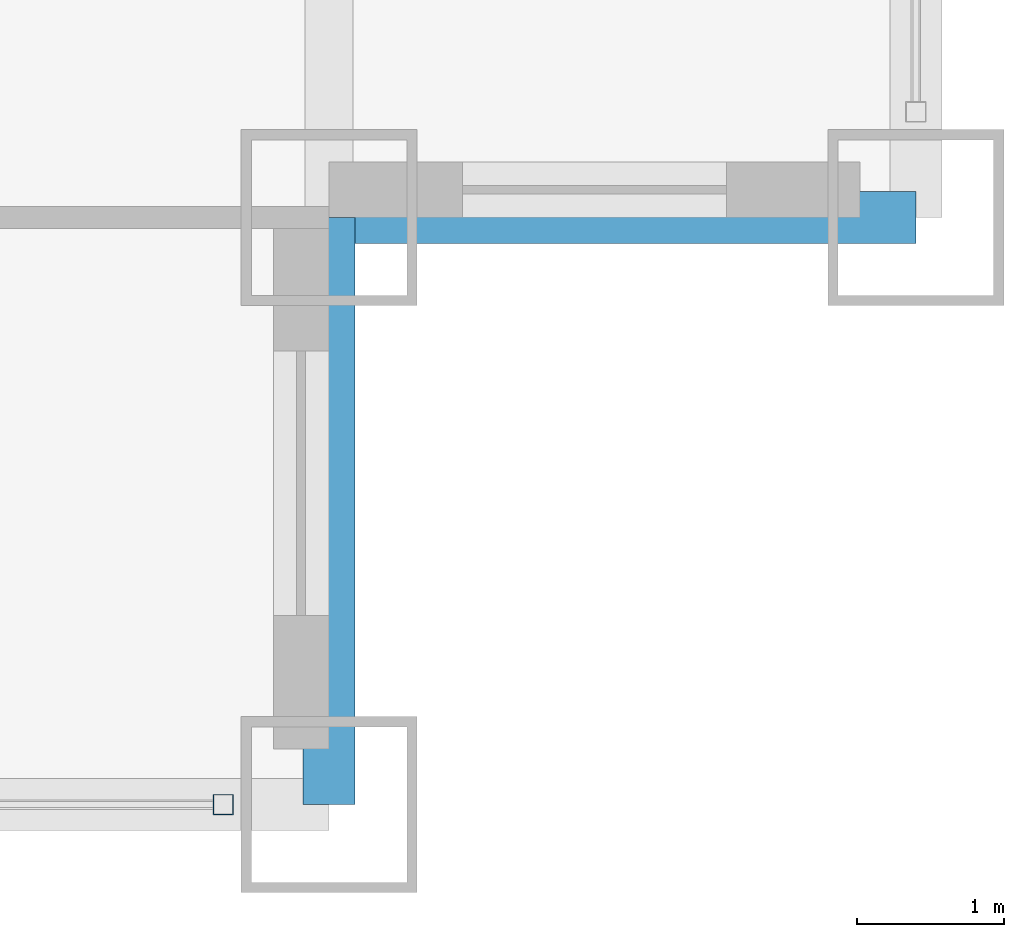
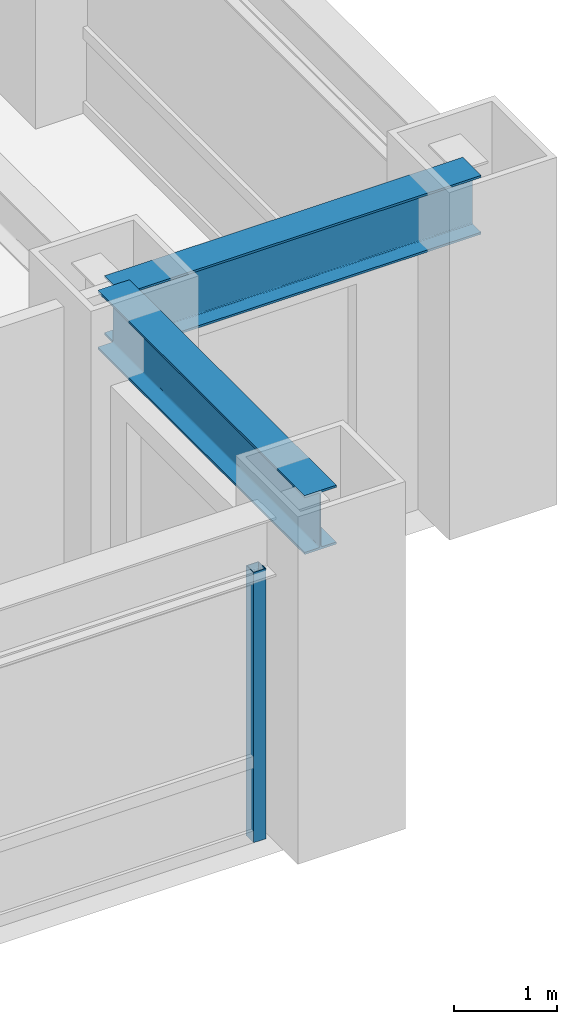
# One storey, part 6 of 28: 2 beams, 1 member, 1 element without a shape of its own.
"""IFC4 building model written with IfcOpenShell, lengths in metres."""

import ifcopenshell
import ifcopenshell.guid

model = None  # the IFC model being written
_history = None  # IfcOwnerHistory: only IFC2X3 demands one
_inside = {}  # id of a spatial element -> (the spatial element, [elements in it])
_under = {}  # id of a project, library or spatial element -> (it, [spatial elements below it])
_declared = {}  # id of a project -> (the project, [libraries it declares])
_typed = {}  # id of a type object -> (the type object, [elements of that type])
_made_of = {}  # id of a material, layer set ... -> (it, [elements and type objects made of it])


def new_model(schema):
    """Start an empty IFC model of exactly this schema.

    Asked for "IFC4X3", IfcOpenShell would pick the latest addendum, in which some entities
    have other attributes; the version numbers below select the first issue.
    IFC2X3 requires an IfcOwnerHistory on every rooted entity: one is made here for all.
    """
    global model, _history
    if schema == "IFC4X3":
        model = ifcopenshell.file(schema_version=(4, 3, 0, 0))
    else:
        model = ifcopenshell.file(schema=schema)
    _inside.clear()
    _under.clear()
    _declared.clear()
    _typed.clear()
    _made_of.clear()
    _history = None
    if model.schema == "IFC2X3":
        org = make("IfcOrganization", Name="unknown")
        user = make(
            "IfcPersonAndOrganization",
            ThePerson=make("IfcPerson", FamilyName="unknown"),
            TheOrganization=org,
        )
        app = make(
            "IfcApplication",
            ApplicationDeveloper=org,
            Version="unknown",
            ApplicationFullName="unknown",
            ApplicationIdentifier="unknown",
        )
        _history = make(
            "IfcOwnerHistory",
            OwningUser=user,
            OwningApplication=app,
            ChangeAction="ADDED",
            CreationDate=0,
        )
    return model


def make(cls, **values):
    """One entity of the class cls with the attributes given. An attribute that is None is left unset."""
    return model.create_entity(
        cls, **{name: value for name, value in values.items() if value is not None}
    )


def rooted(cls, **values):
    """An entity with a GlobalId (a new one), such as an element, a storey or a relation."""
    return make(cls, GlobalId=ifcopenshell.guid.new(), OwnerHistory=_history, **values)


def si_unit(unit_type, name, prefix=None):
    """IfcSIUnit, for example si_unit("LENGTHUNIT", "METRE", prefix="MILLI")."""
    return make("IfcSIUnit", UnitType=unit_type, Prefix=prefix, Name=name)


def assignment(units):
    """IfcUnitAssignment: the units of a project."""
    return None if units is None else make("IfcUnitAssignment", Units=units)


def point(xyz):
    """IfcCartesianPoint."""
    return None if xyz is None else make("IfcCartesianPoint", Coordinates=xyz)


def direction(xyz):
    """IfcDirection."""
    return None if xyz is None else make("IfcDirection", DirectionRatios=xyz)


def frame(location, z_axis=None, x_axis=None):
    """IfcAxis2Placement3D, a coordinate frame: its origin and axes. An axis left out is left unset."""
    return make(
        "IfcAxis2Placement3D",
        Location=point(location),
        Axis=direction(z_axis),
        RefDirection=direction(x_axis),
    )


def frame_2d(location, x_axis=None):
    """IfcAxis2Placement2D, a coordinate frame in the plane: its origin and x axis."""
    return make(
        "IfcAxis2Placement2D", Location=point(location), RefDirection=direction(x_axis)
    )


def origin():
    """The frame at (0, 0, 0) with its axes left unset."""
    return frame((0.0, 0.0, 0.0))


def origin_2d():
    """The frame at (0, 0) in the plane with its x axis left unset."""
    return frame_2d((0.0, 0.0))


def place(relative_to, where):
    """IfcLocalPlacement: puts the frame where relative to a parent placement (None: the world)."""
    return make(
        "IfcLocalPlacement", PlacementRelTo=relative_to, RelativePlacement=where
    )


def context(
    kind, dimensions, precision=None, world=None, true_north=None, identifier=None
):
    """IfcGeometricRepresentationContext, for example the 3D "Model" context."""
    return make(
        "IfcGeometricRepresentationContext",
        ContextIdentifier=identifier,
        ContextType=kind,
        CoordinateSpaceDimension=dimensions,
        Precision=precision,
        WorldCoordinateSystem=world,
        TrueNorth=true_north,
    )


def subcontext(parent, identifier, kind, view, scale=None):
    """IfcGeometricRepresentationSubContext, for example "Body" below "Model"."""
    return make(
        "IfcGeometricRepresentationSubContext",
        ContextIdentifier=identifier,
        ContextType=kind,
        ParentContext=parent,
        TargetScale=scale,
        TargetView=view,
    )


def project(units=None, contexts=None):
    """IfcProject with its units and contexts."""
    return rooted(
        "IfcProject",
        Name="project",
        RepresentationContexts=contexts,
        UnitsInContext=assignment(units),
    )


def spatial(cls, under=None, at=None, **own):
    """A site, building, storey or space (cls), placed at a placement, below another one or the project."""
    s = rooted(cls, ObjectPlacement=at, **own)
    if under is not None:
        _under.setdefault(under.id(), (under, []))[1].append(s)
    return s


def profile(cls, at=None, kind="AREA", **sizes):
    """A parametric profile (cls). Its sizes go by their IFC names, for example OverallWidth=200.0."""
    return make(cls, ProfileType=kind, Position=at, **sizes)


def hollow_rectangle(**sizes):
    """IfcRectangleHollowProfileDef."""
    return profile("IfcRectangleHollowProfileDef", **sizes)


def i_section(**sizes):
    """IfcIShapeProfileDef."""
    return profile("IfcIShapeProfileDef", **sizes)


def extrude(swept, where, along, depth):
    """IfcExtrudedAreaSolid: the profile swept, set in the frame where, extruded along a direction by depth."""
    return make(
        "IfcExtrudedAreaSolid",
        SweptArea=swept,
        Position=where,
        ExtrudedDirection=direction(along),
        Depth=depth,
    )


def shape(context_of_items, identifier, shape_type, items):
    """IfcShapeRepresentation: the items that make up one representation, for example the "Body"."""
    return make(
        "IfcShapeRepresentation",
        ContextOfItems=context_of_items,
        RepresentationIdentifier=identifier,
        RepresentationType=shape_type,
        Items=items,
    )


def source(mapping_origin, context_of_items, identifier, shape_type, items):
    """IfcRepresentationMap: a shape defined once, which mapped items show again and again."""
    return make(
        "IfcRepresentationMap",
        MappingOrigin=mapping_origin,
        MappedRepresentation=shape(context_of_items, identifier, shape_type, items),
    )


def transform(
    local_origin,
    x_axis=None,
    y_axis=None,
    z_axis=None,
    scale=None,
    scale2=None,
    scale3=None,
    uniform=True,
):
    """IfcCartesianTransformationOperator3D, or its non-uniform kind. x_axis, y_axis, z_axis: its Axis1, 2, 3."""
    if uniform:
        return make(
            "IfcCartesianTransformationOperator3D",
            Axis1=direction(x_axis),
            Axis2=direction(y_axis),
            LocalOrigin=point(local_origin),
            Scale=scale,
            Axis3=direction(z_axis),
        )
    return make(
        "IfcCartesianTransformationOperator3DnonUniform",
        Axis1=direction(x_axis),
        Axis2=direction(y_axis),
        LocalOrigin=point(local_origin),
        Scale=scale,
        Axis3=direction(z_axis),
        Scale2=scale2,
        Scale3=scale3,
    )


def mapped(mapping_source, mapping_target):
    """IfcMappedItem: shows the shape of a source again, moved by a transform."""
    return make(
        "IfcMappedItem", MappingSource=mapping_source, MappingTarget=mapping_target
    )


def material(Name=None, Category=None):
    """IfcMaterial."""
    return make("IfcMaterial", Name=Name, Category=Category)


def material_profile(
    of_material, cross_section, Name=None, Category=None, Priority=None
):
    """IfcMaterialProfile: a cross section and its material."""
    return make(
        "IfcMaterialProfile",
        Name=Name,
        Material=of_material,
        Profile=cross_section,
        Priority=Priority,
        Category=Category,
    )


def profile_set(profiles, Name=None, composite=None):
    """IfcMaterialProfileSet."""
    return make(
        "IfcMaterialProfileSet",
        Name=Name,
        MaterialProfiles=profiles,
        CompositeProfile=composite,
    )


def made_of(thing, what):
    """Note that an element or type object is made of a material, layer set ...; save() writes the relation."""
    if what is not None:
        _made_of.setdefault(what.id(), (what, []))[1].append(thing)
    return thing


def type_object(cls, material=None, **own):
    """A type object (cls), such as IfcWallType, which elements share."""
    return made_of(rooted(cls, **own), material)


def element(
    cls,
    number,
    at=None,
    inside=None,
    cuts=None,
    type_object=None,
    material=None,
    context=None,
    identifier="Body",
    shape_type=None,
    held_by="IfcProductDefinitionShape",
    body=None,
    shapes=None,
    **own,
):
    """One element of the class cls, such as IfcWall. Its Tag is "e" and its number.

    at: its placement. inside: the storey or other place that contains it. cuts: it is an
    opening in that element (IfcRelVoidsElement). A single representation is given by context,
    identifier, shape_type and body (its items); several are given by shapes. held_by: the class
    of the entity that holds the representations. save() writes the other relations.
    """
    e = rooted(cls, Tag="e%d" % number, ObjectPlacement=at, **own)
    if body is not None:
        shapes = [shape(context, identifier, shape_type, body)]
    if shapes is not None:
        e.Representation = make(held_by, Representations=shapes)
    if inside is not None:
        _inside.setdefault(inside.id(), (inside, []))[1].append(e)
    if cuts is not None:
        rooted(
            "IfcRelVoidsElement", RelatingBuildingElement=cuts, RelatedOpeningElement=e
        )
    if type_object is not None:
        _typed.setdefault(type_object.id(), (type_object, []))[1].append(e)
    return made_of(e, material)


def aggregate(whole, parts):
    """IfcRelAggregates: a whole, such as a stair, and the parts it consists of."""
    return rooted("IfcRelAggregates", RelatingObject=whole, RelatedObjects=parts)


def save(model, path):
    """Write the relations noted so far, then the file.

    IfcRelAggregates (storeys below a building ...), IfcRelContainedInSpatialStructure (elements
    in a storey), IfcRelDefinesByType, IfcRelAssociatesMaterial and IfcRelDeclares: one each for
    every whole, place, type object, material and project.
    """
    for whole, parts in _under.values():
        aggregate(whole, parts)
    for where, things in _inside.values():
        rooted(
            "IfcRelContainedInSpatialStructure",
            RelatedElements=things,
            RelatingStructure=where,
        )
    for kind, things in _typed.values():
        rooted("IfcRelDefinesByType", RelatedObjects=things, RelatingType=kind)
    for what, things in _made_of.values():
        rooted("IfcRelAssociatesMaterial", RelatedObjects=things, RelatingMaterial=what)
    for by, libraries in _declared.values():
        rooted("IfcRelDeclares", RelatingContext=by, RelatedDefinitions=libraries)
    model.write(path)


model = new_model("IFC4")

# Units and contexts
model_context = context("Model", 3, precision=1e-05, world=origin(), true_north=direction((0.0, 1.0)))
body_context = subcontext(model_context, "Body", "Model", "MODEL_VIEW")
ifc_project = project(units=[si_unit("LENGTHUNIT", "METRE"), si_unit("AREAUNIT", "SQUARE_METRE"), si_unit("VOLUMEUNIT", "CUBIC_METRE"), si_unit("PLANEANGLEUNIT", "RADIAN"), si_unit("MASSUNIT", "GRAM", prefix="KILO")], contexts=[model_context])

# Site, building, storey
site_placement = place(None, origin())
site = spatial("IfcSite", under=ifc_project, at=site_placement, CompositionType="ELEMENT")
building_placement = place(site_placement, origin())
building = spatial("IfcBuilding", under=site, at=building_placement, Name="Khorayat Bourse Tower", CompositionType="ELEMENT")
storey_placement = place(building_placement, frame((0.0, 0.0, 124.199951171875)))
storey = spatial("IfcBuildingStorey", under=building, at=storey_placement, Name="L28", CompositionType="ELEMENT", Elevation=124.199951171875)

# Beams
ifc_material_1 = material(Name="Steel ASTM A992 Grade 50", Category="steel")
ifc_material_profile_1 = material_profile(ifc_material_1, i_section(OverallWidth=0.35498046875, OverallDepth=0.695068359375, WebThickness=0.015380859375, FlangeThickness=0.02490234375, FilletRadius=0.01806640625, at=origin_2d()), Name="W690X217")
ifc_profile_set_1 = profile_set([ifc_material_profile_1], Name="Steel ASTM A992 Grade 50")
beam_type = type_object("IfcBeamType", Name="BM-SPAN-690", PredefinedType="SPANDREL", material=ifc_profile_set_1)
shared_shape_1 = source(origin(), body_context, "Body", "SweptSolid", [
    extrude(i_section(OverallWidth=0.35498046875, OverallDepth=0.695068359375, WebThickness=0.015380859375, FlangeThickness=0.02490234375, FilletRadius=0.01806640625, at=origin_2d()), origin(), (0.0, 0.0, 1.0), 4.0),
])
for number, where, z_axis, x_axis, name in (
    (1, (28.0, -32.0, 3.492431640625), (0.0, 1.0, 0.0), (-1.0, 0.0, 0.0), "L28 BM-SPAN-690 BM-L28-SPN-032"),
    (2, (28.0, -28.0, 3.492431640625), (1.0, 0.0, 0.0), (0.0, 1.0, 0.0), "L28 BM-SPAN-690 BM-L28-SPN-033"),
):
    element("IfcBeam", number, at=place(storey_placement, frame(where, z_axis=z_axis, x_axis=x_axis)), inside=storey, type_object=beam_type, Name=name, PredefinedType="SPANDREL", context=body_context, shape_type="MappedRepresentation", body=[
        mapped(shared_shape_1, transform((0.0, 0.0, 0.0), scale=1.0)),
    ])

# Curtain wall, member
ifc_material_2 = material(Name="Aluminium EN AW-6063 T6", Category="aluminium")
curtain_wall_type = type_object("IfcCurtainWallType", Name="CW-SYS-02", PredefinedType="NOTDEFINED", material=ifc_material_2)
curtain_wall_placement = place(storey_placement, origin())
curtain_wall = element("IfcCurtainWall", 3, at=curtain_wall_placement, inside=storey, type_object=curtain_wall_type, Name="L28 Curtain Wall CW-L28-S1", PredefinedType="NOTDEFINED")
ifc_material_profile_2 = material_profile(ifc_material_2, hollow_rectangle(XDim=0.139892578125, YDim=0.139892578125, WallThickness=0.006103515625, at=origin_2d()), Name="ALU 140x140x6")
ifc_profile_set_2 = profile_set([ifc_material_profile_2], Name="Aluminium EN AW-6063 T6")
member_type = type_object("IfcMemberType", Name="CWM-VERT-140", PredefinedType="MULLION", material=ifc_profile_set_2)
shared_shape_2 = source(origin(), body_context, "Body", "SweptSolid", [
    extrude(hollow_rectangle(XDim=0.139892578125, YDim=0.139892578125, WallThickness=0.006103515625, at=origin_2d()), origin(), (0.0, 0.0, 1.0), 3.18994140625),
])
member_placement = place(storey_placement, frame((27.280029296875, -32.0, 0.0), z_axis=(0.0, 0.0, 1.0), x_axis=(0.0, 1.0, 0.0)))
member = element("IfcMember", 4, at=member_placement, type_object=member_type, Name="CW-L28-S1 Vertical Mullion 3", PredefinedType="MULLION", context=body_context, shape_type="MappedRepresentation", body=[
    mapped(shared_shape_2, transform((0.0, 0.0, 0.0), scale=1.0)),
])
aggregate(curtain_wall, [member])

save(model, "model.ifc")
